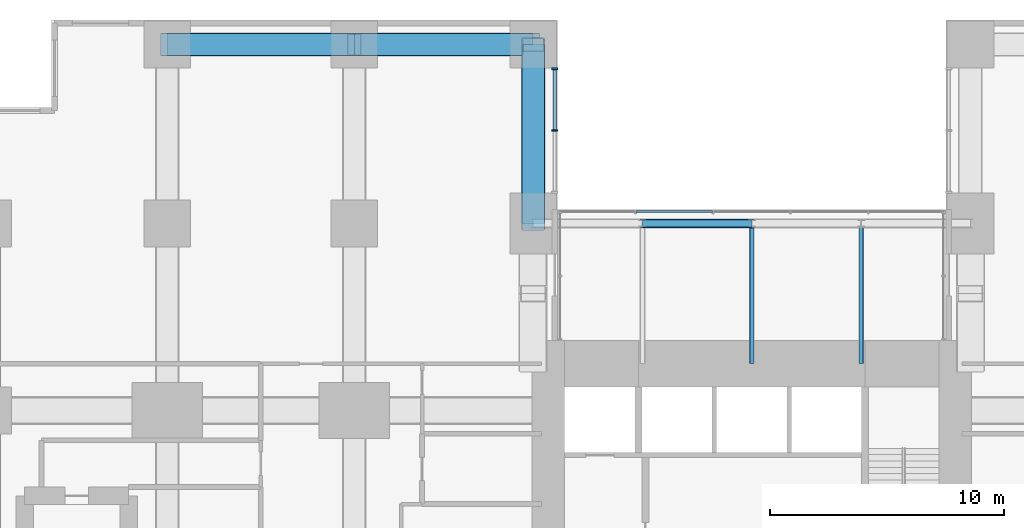
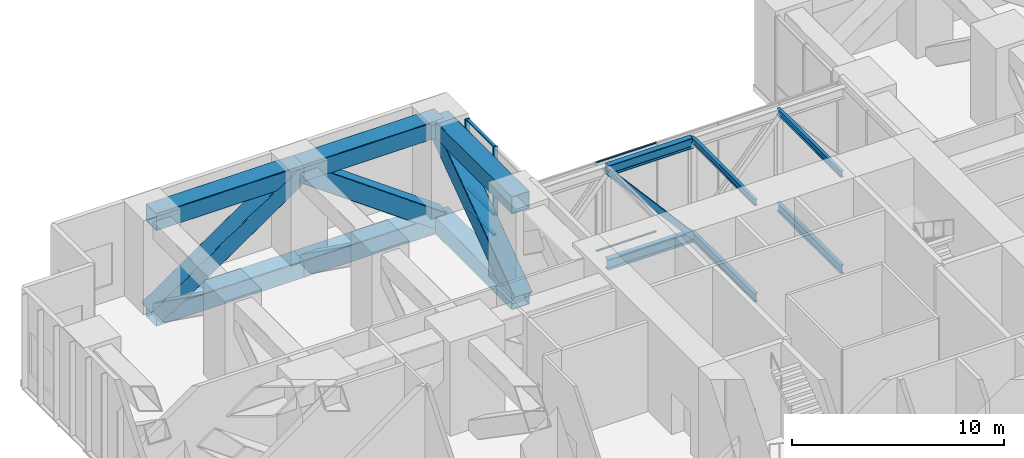
# One storey, part 5 of 17: 17 members, 6 beams, 2 elements without a shape of their own.
"""IFC4 building model written with IfcOpenShell, lengths in metres."""

from ifc_helpers import new_model, si_unit, direction, frame, origin, origin_2d, place, context, subcontext, project, spatial, rectangle, hollow_rectangle, i_section, extrude, material, layer, layer_set, material_profile, profile_set, type_object, element, aggregate, save


model = new_model("IFC4")

# Units and contexts
model_context = context("Model", 3, precision=1e-05, world=origin(), true_north=direction((0.0, 1.0)))
body_context = subcontext(model_context, "Body", "Model", "MODEL_VIEW")
ifc_project = project(units=[si_unit("LENGTHUNIT", "METRE"), si_unit("AREAUNIT", "SQUARE_METRE"), si_unit("VOLUMEUNIT", "CUBIC_METRE"), si_unit("PLANEANGLEUNIT", "RADIAN"), si_unit("MASSUNIT", "GRAM", prefix="KILO")], contexts=[model_context])

# Site, building, storey
site_placement = place(None, origin())
site = spatial("IfcSite", under=ifc_project, at=site_placement, CompositionType="ELEMENT")
building_placement = place(site_placement, origin())
building = spatial("IfcBuilding", under=site, at=building_placement, Name="Cleftline Residences", CompositionType="ELEMENT")
storey_placement = place(building_placement, frame((0.0, 0.0, 90.800048828125)))
storey = spatial("IfcBuildingStorey", under=building, at=storey_placement, Name="L23", CompositionType="ELEMENT", Elevation=90.800048828125)

# Beams
ifc_material_1 = material(Name="Steel S355", Category="steel")
ifc_material_profile_1 = material_profile(ifc_material_1, i_section(OverallWidth=0.169921875, OverallDepth=0.360107421875, WebThickness=0.008056640625, FlangeThickness=0.0126953125, FilletRadius=0.01806640625, at=origin_2d()))
ifc_profile_set_1 = profile_set([ifc_material_profile_1], Name="Steel S355")
beam_type_1 = type_object("IfcBeamType", Name="BEAM IPE 360", PredefinedType="BEAM", material=ifc_profile_set_1)
for number, where, z_axis, x_axis, name in (
    (1, (33.0, 40.0, 5.02001953125), (0.0, -1.0, 0.0), (1.0, 0.0, 0.0), "Bridge roof beam"),
    (2, (37.675048828125, 40.0, 5.02001953125), (0.0, -1.0, 0.0), (1.0, 0.0, 0.0), "Bridge roof beam"),
):
    element("IfcBeam", number, at=place(storey_placement, frame(where, z_axis=z_axis, x_axis=x_axis)), inside=storey, type_object=beam_type_1, Name=name, PredefinedType="BEAM", context=body_context, shape_type="SweptSolid", body=[
        extrude(i_section(OverallWidth=0.169921875, OverallDepth=0.360107421875, WebThickness=0.008056640625, FlangeThickness=0.0126953125, FilletRadius=0.01806640625, at=origin_2d()), origin(), (0.0, 0.0, 1.0), 6.0),
    ])
ifc_material_2 = material(Name="Steel S355", Category="steel")
ifc_material_profile_2 = material_profile(ifc_material_2, i_section(OverallWidth=0.199951171875, OverallDepth=0.5, WebThickness=0.01025390625, FlangeThickness=0.01611328125, FilletRadius=0.02099609375, at=origin_2d()))
ifc_profile_set_2 = profile_set([ifc_material_profile_2], Name="Steel S355")
beam_type_2 = type_object("IfcBeamType", Name="BEAM IPE 500", PredefinedType="BEAM", material=ifc_profile_set_2)
for number, where, z_axis, x_axis, name in (
    (3, (33.0, 40.0, -0.449951171875), (0.0, -1.0, 0.0), (1.0, 0.0, 0.0), "Bridge floor beam"),
    (4, (37.675048828125, 40.0, -0.449951171875), (0.0, -1.0, 0.0), (1.0, 0.0, 0.0), "Bridge floor beam"),
):
    element("IfcBeam", number, at=place(storey_placement, frame(where, z_axis=z_axis, x_axis=x_axis)), inside=storey, type_object=beam_type_2, Name=name, PredefinedType="BEAM", context=body_context, shape_type="SweptSolid", body=[
        extrude(i_section(OverallWidth=0.199951171875, OverallDepth=0.5, WebThickness=0.01025390625, FlangeThickness=0.01611328125, FilletRadius=0.02099609375, at=origin_2d()), origin(), (0.0, 0.0, 1.0), 6.0),
    ])

# Members
ifc_material_3 = material(Name="Steel S355", Category="steel")
ifc_material_profile_3 = material_profile(ifc_material_3, hollow_rectangle(XDim=1.0, YDim=1.0, WallThickness=0.0400390625, InnerFilletRadius=0.0400390625, OuterFilletRadius=0.06005859375, at=origin_2d()))
ifc_profile_set_3 = profile_set([ifc_material_profile_3], Name="Steel S355")
member_type_1 = type_object("IfcMemberType", Name="BRACE BOX 1000X1000X40", PredefinedType="BRACE", material=ifc_profile_set_3)
member_1_placement = place(storey_placement, frame((23.64990234375, 40.0, -0.85009765625), z_axis=(0.0, 0.811933238445, 0.583750303048), x_axis=(0.0, -0.583750303048, 0.811933238445)))
element("IfcMember", 5, at=member_1_placement, inside=storey, type_object=member_type_1, Name="Belt truss diagonal", PredefinedType="BRACE", context=body_context, shape_type="SweptSolid", body=[
    extrude(hollow_rectangle(XDim=1.0, YDim=1.0, WallThickness=0.0400390625, InnerFilletRadius=0.0400390625, OuterFilletRadius=0.06005859375, at=origin_2d()), origin(), (0.0, 0.0, 1.0), 9.421875),
])
member_2_placement = place(storey_placement, frame((8.0, 47.64990234375, -0.85009765625), z_axis=(0.824041924199, 0.0, 0.566528822887), x_axis=(-0.566528822887, 0.0, 0.824041924199)))
element("IfcMember", 6, at=member_2_placement, inside=storey, type_object=member_type_1, Name="Belt truss diagonal", PredefinedType="BRACE", context=body_context, shape_type="SweptSolid", body=[
    extrude(hollow_rectangle(XDim=1.0, YDim=1.0, WallThickness=0.0400390625, InnerFilletRadius=0.0400390625, OuterFilletRadius=0.06005859375, at=origin_2d()), origin(), (0.0, 0.0, 1.0), 9.708251953125),
])
member_3_placement = place(storey_placement, frame((16.0, 47.64990234375, 4.64990234375), z_axis=(0.811933238445, 0.0, -0.583750303048), x_axis=(0.583750303048, 0.0, 0.811933238445)))
element("IfcMember", 7, at=member_3_placement, inside=storey, type_object=member_type_1, Name="Belt truss diagonal", PredefinedType="BRACE", context=body_context, shape_type="SweptSolid", body=[
    extrude(hollow_rectangle(XDim=1.0, YDim=1.0, WallThickness=0.0400390625, InnerFilletRadius=0.0400390625, OuterFilletRadius=0.06005859375, at=origin_2d()), origin(), (0.0, 0.0, 1.0), 9.421875),
])
ifc_material_4 = material(Name="Steel S355", Category="steel")
ifc_material_profile_4 = material_profile(ifc_material_4, i_section(OverallWidth=0.300048828125, OverallDepth=0.39990234375, WebThickness=0.013427734375, FlangeThickness=0.02392578125, FilletRadius=0.027099609375, at=origin_2d()))
ifc_profile_set_4 = profile_set([ifc_material_profile_4], Name="Steel S355")
member_type_2 = type_object("IfcMemberType", Name="BRACE HEB 400", PredefinedType="BRACE", material=ifc_profile_set_4)
member_4_placement = place(storey_placement, frame((28.324951171875, 40.0, 4.89990234375), z_axis=(0.654541355199, 0.0, -0.756026199503), x_axis=(0.756026199503, 0.0, 0.654541355199)))
element("IfcMember", 8, at=member_4_placement, inside=storey, type_object=member_type_2, Name="Sky bridge truss diagonal", PredefinedType="BRACE", context=body_context, shape_type="SweptSolid", body=[
    extrude(i_section(OverallWidth=0.300048828125, OverallDepth=0.39990234375, WebThickness=0.013427734375, FlangeThickness=0.02392578125, FilletRadius=0.027099609375, at=origin_2d()), origin(), (0.0, 0.0, 1.0), 7.142578125),
])

# Beams
ifc_material_5 = material(Name="Steel S355", Category="steel")
ifc_material_profile_5 = material_profile(ifc_material_5, i_section(OverallWidth=0.300048828125, OverallDepth=0.60009765625, WebThickness=0.015380859375, FlangeThickness=0.030029296875, FilletRadius=0.027099609375, at=origin_2d()))
ifc_profile_set_5 = profile_set([ifc_material_profile_5], Name="Steel S355")
beam_type_3 = type_object("IfcBeamType", Name="BRIDGE CHORD HEB 600", PredefinedType="BEAM", material=ifc_profile_set_5)
for number, where, z_axis, x_axis, name in (
    (9, (28.324951171875, 40.0, -0.5), (1.0, 0.0, 0.0), (0.0, 1.0, 0.0), "Sky bridge truss bottom chord"),
    (10, (28.324951171875, 40.0, 4.89990234375), (1.0, 0.0, 0.0), (0.0, 1.0, 0.0), "Sky bridge truss top chord"),
):
    element("IfcBeam", number, at=place(storey_placement, frame(where, z_axis=z_axis, x_axis=x_axis)), inside=storey, type_object=beam_type_3, Name=name, PredefinedType="BEAM", context=body_context, shape_type="SweptSolid", body=[
        extrude(i_section(OverallWidth=0.300048828125, OverallDepth=0.60009765625, WebThickness=0.015380859375, FlangeThickness=0.030029296875, FilletRadius=0.027099609375, at=origin_2d()), origin(), (0.0, 0.0, 1.0), 4.675048828125),
    ])

# Members
ifc_material_6 = material(Name="Steel S355", Category="steel")
ifc_material_profile_6 = material_profile(ifc_material_6, hollow_rectangle(XDim=1.0, YDim=1.0, WallThickness=0.0400390625, InnerFilletRadius=0.0400390625, OuterFilletRadius=0.06005859375, at=origin_2d()))
ifc_profile_set_6 = profile_set([ifc_material_profile_6], Name="Steel S355")
member_type_3 = type_object("IfcMemberType", Name="CHORD BOX 1000X1000X40", PredefinedType="CHORD", material=ifc_profile_set_6)
for number, where, z_axis, x_axis, name in (
    (11, (23.64990234375, 40.0, -0.85009765625), (0.0, 1.0, 0.0), (-1.0, 0.0, 0.0), "Belt truss bottom chord"),
    (12, (23.64990234375, 40.0, 4.64990234375), (0.0, 1.0, 0.0), (-1.0, 0.0, 0.0), "Belt truss top chord"),
):
    element("IfcMember", number, at=place(storey_placement, frame(where, z_axis=z_axis, x_axis=x_axis)), inside=storey, type_object=member_type_3, Name=name, PredefinedType="CHORD", context=body_context, shape_type="SweptSolid", body=[
        extrude(hollow_rectangle(XDim=1.0, YDim=1.0, WallThickness=0.0400390625, InnerFilletRadius=0.0400390625, OuterFilletRadius=0.06005859375, at=origin_2d()), origin(), (0.0, 0.0, 1.0), 7.64990234375),
    ])
for number, where, z_axis, x_axis, name in (
    (13, (8.0, 47.64990234375, -0.85009765625), (1.0, 0.0, 0.0), (0.0, 1.0, 0.0), "Belt truss bottom chord"),
    (14, (8.0, 47.64990234375, 4.64990234375), (1.0, 0.0, 0.0), (0.0, 1.0, 0.0), "Belt truss top chord"),
):
    element("IfcMember", number, at=place(storey_placement, frame(where, z_axis=z_axis, x_axis=x_axis)), inside=storey, type_object=member_type_3, Name=name, PredefinedType="CHORD", context=body_context, shape_type="SweptSolid", body=[
        extrude(hollow_rectangle(XDim=1.0, YDim=1.0, WallThickness=0.0400390625, InnerFilletRadius=0.0400390625, OuterFilletRadius=0.06005859375, at=origin_2d()), origin(), (0.0, 0.0, 1.0), 8.0),
    ])
for number, where, z_axis, x_axis, name in (
    (15, (16.0, 47.64990234375, -0.85009765625), (1.0, 0.0, 0.0), (0.0, 1.0, 0.0), "Belt truss bottom chord"),
    (16, (16.0, 47.64990234375, 4.64990234375), (1.0, 0.0, 0.0), (0.0, 1.0, 0.0), "Belt truss top chord"),
):
    element("IfcMember", number, at=place(storey_placement, frame(where, z_axis=z_axis, x_axis=x_axis)), inside=storey, type_object=member_type_3, Name=name, PredefinedType="CHORD", context=body_context, shape_type="SweptSolid", body=[
        extrude(hollow_rectangle(XDim=1.0, YDim=1.0, WallThickness=0.0400390625, InnerFilletRadius=0.0400390625, OuterFilletRadius=0.06005859375, at=origin_2d()), origin(), (0.0, 0.0, 1.0), 7.64990234375),
    ])

# Curtain wall, members
ifc_material_7 = material(Name="Aluminium framed curtain wall", Category="aluminium")
ifc_layer_1 = layer(ifc_material_7, 0.199951171875)
ifc_layer_set_1 = layer_set([ifc_layer_1], Name="CW3 BRIDGE GLAZING")
curtain_wall_type_1 = type_object("IfcCurtainWallType", Name="CW3 BRIDGE GLAZING", PredefinedType="NOTDEFINED", material=ifc_layer_set_1)
curtain_wall_1_placement = place(storey_placement, origin())
curtain_wall_1 = element("IfcCurtainWall", 17, at=curtain_wall_1_placement, inside=storey, type_object=curtain_wall_type_1, Name="Curtain wall CW3", PredefinedType="NOTDEFINED")
ifc_material_8 = material(Name="Aluminium transom", Category="aluminium")
ifc_material_profile_7 = material_profile(ifc_material_8, rectangle(XDim=0.095947265625, YDim=0.06005859375, at=origin_2d()))
ifc_profile_set_7 = profile_set([ifc_material_profile_7], Name="Aluminium transom")
member_type_4 = type_object("IfcMemberType", Name="CW3 TRANSOM", PredefinedType="USERDEFINED", material=ifc_profile_set_7)
member_5_placement = place(storey_placement, frame((31.31005859375, 40.5, 0.030029296875), z_axis=(-1.0, 0.0, 0.0), x_axis=(0.0, -1.0, 0.0)))
member_5 = element("IfcMember", 18, at=member_5_placement, type_object=member_type_4, Name="CW3 transom 4.1", ObjectType="TRANSOM", PredefinedType="USERDEFINED", context=body_context, shape_type="SweptSolid", body=[
    extrude(rectangle(XDim=0.095947265625, YDim=0.06005859375, at=origin_2d()), origin(), (0.0, 0.0, 1.0), 3.260009765625),
])
member_6_placement = place(storey_placement, frame((31.31005859375, 40.5, 5.119873046875), z_axis=(-1.0, 0.0, 0.0), x_axis=(0.0, -1.0, 0.0)))
member_6 = element("IfcMember", 19, at=member_6_placement, type_object=member_type_4, Name="CW3 transom 4.2", ObjectType="TRANSOM", PredefinedType="USERDEFINED", context=body_context, shape_type="SweptSolid", body=[
    extrude(rectangle(XDim=0.095947265625, YDim=0.06005859375, at=origin_2d()), origin(), (0.0, 0.0, 1.0), 3.260009765625),
])
aggregate(curtain_wall_1, [member_5, member_6])

ifc_material_9 = material(Name="Aluminium framed louvre screen", Category="aluminium")
ifc_layer_2 = layer(ifc_material_9, 0.25)
ifc_layer_set_2 = layer_set([ifc_layer_2], Name="CW6 REFUGE LOUVRE SCREEN")
curtain_wall_type_2 = type_object("IfcCurtainWallType", Name="CW6 REFUGE LOUVRE SCREEN", PredefinedType="NOTDEFINED", material=ifc_layer_set_2)
curtain_wall_2_placement = place(storey_placement, origin())
curtain_wall_2 = element("IfcCurtainWall", 20, at=curtain_wall_2_placement, inside=storey, type_object=curtain_wall_type_2, Name="Louvre screen CW6", PredefinedType="NOTDEFINED")
ifc_material_10 = material(Name="Aluminium louvre mullion", Category="aluminium")
ifc_material_profile_8 = material_profile(ifc_material_10, rectangle(XDim=0.25, YDim=0.080078125, at=origin_2d()))
ifc_profile_set_8 = profile_set([ifc_material_profile_8], Name="Aluminium louvre mullion")
member_type_5 = type_object("IfcMemberType", Name="CW6 LOUVRE MULLION", PredefinedType="MULLION", material=ifc_profile_set_8)
member_7_placement = place(storey_placement, frame((24.574951171875, 43.97509765625, 0.0), z_axis=(0.0, 0.0, 1.0), x_axis=(-1.0, 0.0, 0.0)))
member_7 = element("IfcMember", 21, at=member_7_placement, type_object=member_type_5, Name="CW6 mullion 2", PredefinedType="MULLION", context=body_context, shape_type="SweptSolid", body=[
    extrude(rectangle(XDim=0.25, YDim=0.080078125, at=origin_2d()), origin(), (0.0, 0.0, 1.0), 5.14990234375),
])
member_8_placement = place(storey_placement, frame((24.574951171875, 46.610107421875, 0.0), z_axis=(0.0, 0.0, 1.0), x_axis=(-1.0, 0.0, 0.0)))
member_8 = element("IfcMember", 22, at=member_8_placement, type_object=member_type_5, Name="CW6 mullion 3", PredefinedType="MULLION", context=body_context, shape_type="SweptSolid", body=[
    extrude(rectangle(XDim=0.25, YDim=0.080078125, at=origin_2d()), origin(), (0.0, 0.0, 1.0), 5.14990234375),
])
ifc_material_11 = material(Name="Aluminium louvre transom", Category="aluminium")
ifc_material_profile_9 = material_profile(ifc_material_11, rectangle(XDim=0.14990234375, YDim=0.080078125, at=origin_2d()))
ifc_profile_set_9 = profile_set([ifc_material_profile_9], Name="Aluminium louvre transom")
member_type_6 = type_object("IfcMemberType", Name="CW6 LOUVRE TRANSOM", PredefinedType="USERDEFINED", material=ifc_profile_set_9)
member_9_placement = place(storey_placement, frame((24.574951171875, 44.014892578125, 0.0400390625), z_axis=(0.0, 1.0, 0.0), x_axis=(-1.0, 0.0, 0.0)))
member_9 = element("IfcMember", 23, at=member_9_placement, type_object=member_type_6, Name="CW6 transom 2.1", ObjectType="TRANSOM", PredefinedType="USERDEFINED", context=body_context, shape_type="SweptSolid", body=[
    extrude(rectangle(XDim=0.14990234375, YDim=0.080078125, at=origin_2d()), origin(), (0.0, 0.0, 1.0), 2.55517578125),
])
member_10_placement = place(storey_placement, frame((24.574951171875, 44.014892578125, 1.199951171875), z_axis=(0.0, 1.0, 0.0), x_axis=(-1.0, 0.0, 0.0)))
member_10 = element("IfcMember", 24, at=member_10_placement, type_object=member_type_6, Name="CW6 transom 2.2", ObjectType="TRANSOM", PredefinedType="USERDEFINED", context=body_context, shape_type="SweptSolid", body=[
    extrude(rectangle(XDim=0.14990234375, YDim=0.080078125, at=origin_2d()), origin(), (0.0, 0.0, 1.0), 2.55517578125),
])
member_11_placement = place(storey_placement, frame((24.574951171875, 44.014892578125, 5.10986328125), z_axis=(0.0, 1.0, 0.0), x_axis=(-1.0, 0.0, 0.0)))
member_11 = element("IfcMember", 25, at=member_11_placement, type_object=member_type_6, Name="CW6 transom 2.3", ObjectType="TRANSOM", PredefinedType="USERDEFINED", context=body_context, shape_type="SweptSolid", body=[
    extrude(rectangle(XDim=0.14990234375, YDim=0.080078125, at=origin_2d()), origin(), (0.0, 0.0, 1.0), 2.55517578125),
])
aggregate(curtain_wall_2, [member_7, member_8, member_9, member_10, member_11])

save(model, "model.ifc")
